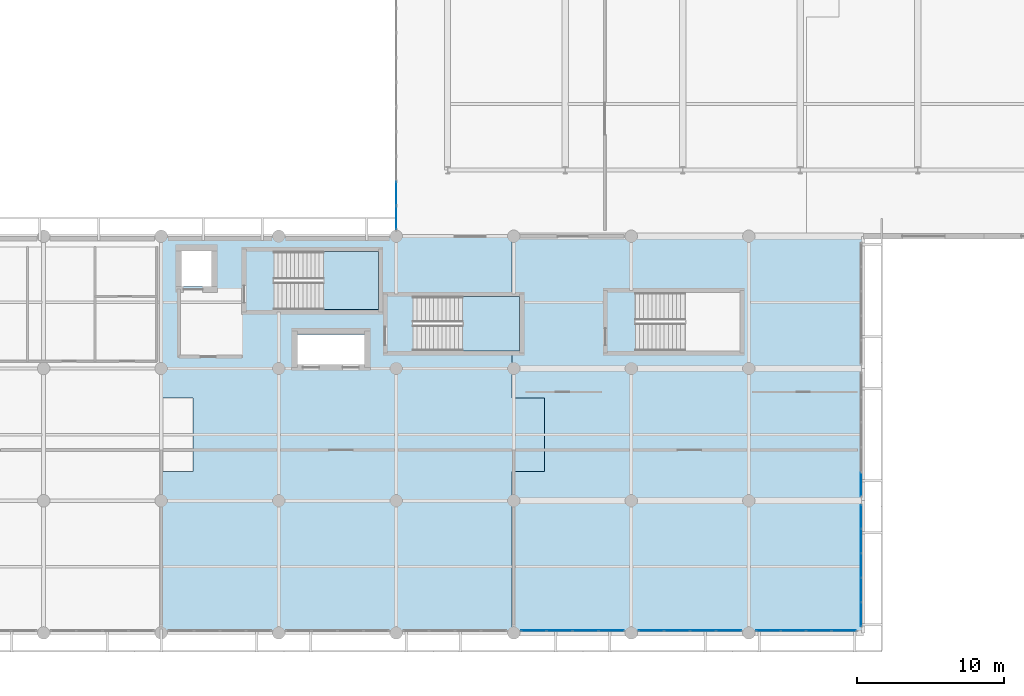
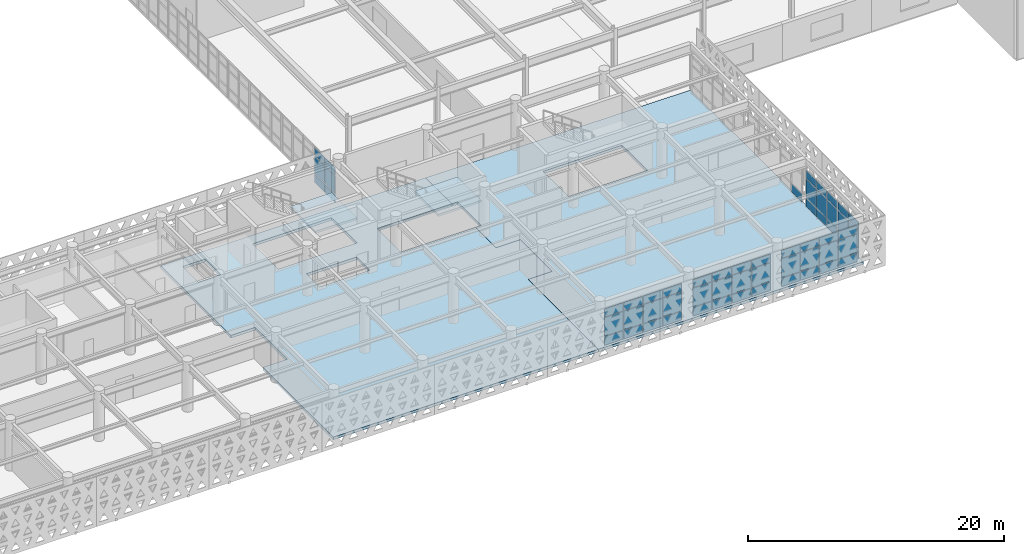
# One storey, part 31 of 54: 58 plates, 4 slabs, 8 elements without a shape of their own.
"""IFC4 building model written with IfcOpenShell, lengths in metres."""

from ifc_helpers import new_model, si_unit, direction, frame, origin, origin_2d, place, context, subcontext, project, spatial, polyline, rectangle, outline, extrude, material, layer, layer_set, type_object, element, aggregate, save


model = new_model("IFC4")

# Units and contexts
model_context = context("Model", 3, precision=1e-05, world=origin(), true_north=direction((0.0, 1.0)))
body_context = subcontext(model_context, "Body", "Model", "MODEL_VIEW")
ifc_project = project(units=[si_unit("LENGTHUNIT", "METRE"), si_unit("AREAUNIT", "SQUARE_METRE"), si_unit("VOLUMEUNIT", "CUBIC_METRE"), si_unit("PLANEANGLEUNIT", "RADIAN"), si_unit("MASSUNIT", "GRAM", prefix="KILO")], contexts=[model_context])

# Site, building, storey
site_placement = place(None, origin())
site = spatial("IfcSite", under=ifc_project, at=site_placement, CompositionType="ELEMENT")
building_placement = place(site_placement, origin())
building = spatial("IfcBuilding", under=site, at=building_placement, Name="Tlacozan Convention Centre", CompositionType="ELEMENT")
storey_placement = place(building_placement, frame((0.0, 0.0, 11.39990234375)))
storey = spatial("IfcBuildingStorey", under=building, at=storey_placement, Name="L02", CompositionType="ELEMENT", Elevation=11.39990234375)

# Curtain wall, plates
ifc_material_1 = material(Name="Dark Bronze Anodised Aluminium", Category="aluminium")
ifc_layer_1 = layer(ifc_material_1, 0.159912109375)
ifc_layer_set_1 = layer_set([ifc_layer_1], Name="Dark Bronze Anodised Aluminium")
curtain_wall_type_1 = type_object("IfcCurtainWallType", Name="Unitised Congress L02 South CW03", PredefinedType="NOTDEFINED", material=ifc_layer_set_1)
curtain_wall_1_placement = place(storey_placement, origin())
curtain_wall_1 = element("IfcCurtainWall", 1, at=curtain_wall_1_placement, inside=storey, type_object=curtain_wall_type_1, Name="L02 CW-03 Run 90", PredefinedType="NOTDEFINED")
ifc_material_2 = material(Name="Solar Control Double Low-E Argon Glazing", Category="glass")
ifc_layer_2 = layer(ifc_material_2, 0.02001953125)
ifc_layer_set_2 = layer_set([ifc_layer_2], Name="Solar Control Double Low-E Argon Glazing")
plate_type_1 = type_object("IfcPlateType", Name="Double Low-E Glazed CW Panel 20", PredefinedType="CURTAIN_PANEL", material=ifc_layer_set_2)
plate_1_placement = place(storey_placement, frame((97.353759765625, 0.159912109375, 0.06494140625), z_axis=(0.0, 0.0, 1.0), x_axis=(1.0, 0.0, 0.0)))
plate_1 = element("IfcPlate", 2, at=plate_1_placement, type_object=plate_type_1, Name="CW-03 panel 1.1", PredefinedType="CURTAIN_PANEL", context=body_context, shape_type="SweptSolid", body=[
    extrude(rectangle(XDim=1.677490234375, YDim=0.02001953125, at=origin_2d()), origin(), (0.0, 0.0, 1.0), 0.802490234375),
])
plate_2_placement = place(storey_placement, frame((97.353759765625, 0.159912109375, 0.9326171875), z_axis=(0.0, 0.0, 1.0), x_axis=(1.0, 0.0, 0.0)))
plate_2 = element("IfcPlate", 3, at=plate_2_placement, type_object=plate_type_1, Name="CW-03 panel 1.2", PredefinedType="CURTAIN_PANEL", context=body_context, shape_type="SweptSolid", body=[
    extrude(rectangle(XDim=1.677490234375, YDim=0.02001953125, at=origin_2d()), origin(), (0.0, 0.0, 1.0), 1.77490234375),
])
plate_3_placement = place(storey_placement, frame((97.353759765625, 0.159912109375, 2.772705078125), z_axis=(0.0, 0.0, 1.0), x_axis=(1.0, 0.0, 0.0)))
plate_3 = element("IfcPlate", 4, at=plate_3_placement, type_object=plate_type_1, Name="CW-03 panel 1.3", PredefinedType="CURTAIN_PANEL", context=body_context, shape_type="SweptSolid", body=[
    extrude(rectangle(XDim=1.677490234375, YDim=0.02001953125, at=origin_2d()), origin(), (0.0, 0.0, 1.0), 0.75244140625),
])
plate_4_placement = place(storey_placement, frame((99.112548828125, 0.159912109375, 0.06494140625), z_axis=(0.0, 0.0, 1.0), x_axis=(1.0, 0.0, 0.0)))
plate_4 = element("IfcPlate", 5, at=plate_4_placement, type_object=plate_type_1, Name="CW-03 panel 2.1", PredefinedType="CURTAIN_PANEL", context=body_context, shape_type="SweptSolid", body=[
    extrude(rectangle(XDim=1.7099609375, YDim=0.02001953125, at=origin_2d()), origin(), (0.0, 0.0, 1.0), 0.802490234375),
])
plate_5_placement = place(storey_placement, frame((99.112548828125, 0.159912109375, 0.9326171875), z_axis=(0.0, 0.0, 1.0), x_axis=(1.0, 0.0, 0.0)))
plate_5 = element("IfcPlate", 6, at=plate_5_placement, type_object=plate_type_1, Name="CW-03 panel 2.2", PredefinedType="CURTAIN_PANEL", context=body_context, shape_type="SweptSolid", body=[
    extrude(rectangle(XDim=1.7099609375, YDim=0.02001953125, at=origin_2d()), origin(), (0.0, 0.0, 1.0), 1.77490234375),
])
plate_6_placement = place(storey_placement, frame((99.112548828125, 0.159912109375, 2.772705078125), z_axis=(0.0, 0.0, 1.0), x_axis=(1.0, 0.0, 0.0)))
plate_6 = element("IfcPlate", 7, at=plate_6_placement, type_object=plate_type_1, Name="CW-03 panel 2.3", PredefinedType="CURTAIN_PANEL", context=body_context, shape_type="SweptSolid", body=[
    extrude(rectangle(XDim=1.7099609375, YDim=0.02001953125, at=origin_2d()), origin(), (0.0, 0.0, 1.0), 0.75244140625),
])
plate_7_placement = place(storey_placement, frame((100.887451171875, 0.159912109375, 0.06494140625), z_axis=(0.0, 0.0, 1.0), x_axis=(1.0, 0.0, 0.0)))
plate_7 = element("IfcPlate", 8, at=plate_7_placement, type_object=plate_type_1, Name="CW-03 panel 3.1", PredefinedType="CURTAIN_PANEL", context=body_context, shape_type="SweptSolid", body=[
    extrude(rectangle(XDim=1.7099609375, YDim=0.02001953125, at=origin_2d()), origin(), (0.0, 0.0, 1.0), 0.802490234375),
])
plate_8_placement = place(storey_placement, frame((100.887451171875, 0.159912109375, 0.9326171875), z_axis=(0.0, 0.0, 1.0), x_axis=(1.0, 0.0, 0.0)))
plate_8 = element("IfcPlate", 9, at=plate_8_placement, type_object=plate_type_1, Name="CW-03 panel 3.2", PredefinedType="CURTAIN_PANEL", context=body_context, shape_type="SweptSolid", body=[
    extrude(rectangle(XDim=1.7099609375, YDim=0.02001953125, at=origin_2d()), origin(), (0.0, 0.0, 1.0), 1.77490234375),
])
plate_9_placement = place(storey_placement, frame((100.887451171875, 0.159912109375, 2.772705078125), z_axis=(0.0, 0.0, 1.0), x_axis=(1.0, 0.0, 0.0)))
plate_9 = element("IfcPlate", 10, at=plate_9_placement, type_object=plate_type_1, Name="CW-03 panel 3.3", PredefinedType="CURTAIN_PANEL", context=body_context, shape_type="SweptSolid", body=[
    extrude(rectangle(XDim=1.7099609375, YDim=0.02001953125, at=origin_2d()), origin(), (0.0, 0.0, 1.0), 0.75244140625),
])
plate_10_placement = place(storey_placement, frame((102.646240234375, 0.159912109375, 0.06494140625), z_axis=(0.0, 0.0, 1.0), x_axis=(1.0, 0.0, 0.0)))
plate_10 = element("IfcPlate", 11, at=plate_10_placement, type_object=plate_type_1, Name="CW-03 panel 4.1", PredefinedType="CURTAIN_PANEL", context=body_context, shape_type="SweptSolid", body=[
    extrude(rectangle(XDim=1.677490234375, YDim=0.02001953125, at=origin_2d()), origin(), (0.0, 0.0, 1.0), 0.802490234375),
])
plate_11_placement = place(storey_placement, frame((102.646240234375, 0.159912109375, 0.9326171875), z_axis=(0.0, 0.0, 1.0), x_axis=(1.0, 0.0, 0.0)))
plate_11 = element("IfcPlate", 12, at=plate_11_placement, type_object=plate_type_1, Name="CW-03 panel 4.2", PredefinedType="CURTAIN_PANEL", context=body_context, shape_type="SweptSolid", body=[
    extrude(rectangle(XDim=1.677490234375, YDim=0.02001953125, at=origin_2d()), origin(), (0.0, 0.0, 1.0), 1.77490234375),
])
plate_12_placement = place(storey_placement, frame((102.646240234375, 0.159912109375, 2.772705078125), z_axis=(0.0, 0.0, 1.0), x_axis=(1.0, 0.0, 0.0)))
plate_12 = element("IfcPlate", 13, at=plate_12_placement, type_object=plate_type_1, Name="CW-03 panel 4.3", PredefinedType="CURTAIN_PANEL", context=body_context, shape_type="SweptSolid", body=[
    extrude(rectangle(XDim=1.677490234375, YDim=0.02001953125, at=origin_2d()), origin(), (0.0, 0.0, 1.0), 0.75244140625),
])
aggregate(curtain_wall_1, [plate_1, plate_2, plate_3, plate_4, plate_5, plate_6, plate_7, plate_8, plate_9, plate_10, plate_11, plate_12])

curtain_wall_2_placement = place(storey_placement, origin())
curtain_wall_2 = element("IfcCurtainWall", 14, at=curtain_wall_2_placement, inside=storey, type_object=curtain_wall_type_1, Name="L02 CW-03 Run 92", PredefinedType="NOTDEFINED")
plate_13_placement = place(storey_placement, frame((113.328857421875, 0.159912109375, 0.06494140625), z_axis=(0.0, 0.0, 1.0), x_axis=(1.0, 0.0, 0.0)))
plate_13 = element("IfcPlate", 15, at=plate_13_placement, type_object=plate_type_1, Name="CW-03 panel 1.1", PredefinedType="CURTAIN_PANEL", context=body_context, shape_type="SweptSolid", body=[
    extrude(rectangle(XDim=1.62744140625, YDim=0.02001953125, at=origin_2d()), origin(), (0.0, 0.0, 1.0), 0.802490234375),
])
plate_14_placement = place(storey_placement, frame((113.328857421875, 0.159912109375, 0.9326171875), z_axis=(0.0, 0.0, 1.0), x_axis=(1.0, 0.0, 0.0)))
plate_14 = element("IfcPlate", 16, at=plate_14_placement, type_object=plate_type_1, Name="CW-03 panel 1.2", PredefinedType="CURTAIN_PANEL", context=body_context, shape_type="SweptSolid", body=[
    extrude(rectangle(XDim=1.62744140625, YDim=0.02001953125, at=origin_2d()), origin(), (0.0, 0.0, 1.0), 1.77490234375),
])
plate_15_placement = place(storey_placement, frame((113.328857421875, 0.159912109375, 2.772705078125), z_axis=(0.0, 0.0, 1.0), x_axis=(1.0, 0.0, 0.0)))
plate_15 = element("IfcPlate", 17, at=plate_15_placement, type_object=plate_type_1, Name="CW-03 panel 1.3", PredefinedType="CURTAIN_PANEL", context=body_context, shape_type="SweptSolid", body=[
    extrude(rectangle(XDim=1.62744140625, YDim=0.02001953125, at=origin_2d()), origin(), (0.0, 0.0, 1.0), 0.75244140625),
])
plate_16_placement = place(storey_placement, frame((115.03759765625, 0.159912109375, 0.06494140625), z_axis=(0.0, 0.0, 1.0), x_axis=(1.0, 0.0, 0.0)))
plate_16 = element("IfcPlate", 18, at=plate_16_placement, type_object=plate_type_1, Name="CW-03 panel 2.1", PredefinedType="CURTAIN_PANEL", context=body_context, shape_type="SweptSolid", body=[
    extrude(rectangle(XDim=1.659912109375, YDim=0.02001953125, at=origin_2d()), origin(), (0.0, 0.0, 1.0), 0.802490234375),
])
plate_17_placement = place(storey_placement, frame((115.03759765625, 0.159912109375, 0.9326171875), z_axis=(0.0, 0.0, 1.0), x_axis=(1.0, 0.0, 0.0)))
plate_17 = element("IfcPlate", 19, at=plate_17_placement, type_object=plate_type_1, Name="CW-03 panel 2.2", PredefinedType="CURTAIN_PANEL", context=body_context, shape_type="SweptSolid", body=[
    extrude(rectangle(XDim=1.659912109375, YDim=0.02001953125, at=origin_2d()), origin(), (0.0, 0.0, 1.0), 1.77490234375),
])
plate_18_placement = place(storey_placement, frame((115.03759765625, 0.159912109375, 2.772705078125), z_axis=(0.0, 0.0, 1.0), x_axis=(1.0, 0.0, 0.0)))
plate_18 = element("IfcPlate", 20, at=plate_18_placement, type_object=plate_type_1, Name="CW-03 panel 2.3", PredefinedType="CURTAIN_PANEL", context=body_context, shape_type="SweptSolid", body=[
    extrude(rectangle(XDim=1.659912109375, YDim=0.02001953125, at=origin_2d()), origin(), (0.0, 0.0, 1.0), 0.75244140625),
])
plate_19_placement = place(storey_placement, frame((116.762451171875, 0.159912109375, 0.06494140625), z_axis=(0.0, 0.0, 1.0), x_axis=(1.0, 0.0, 0.0)))
plate_19 = element("IfcPlate", 21, at=plate_19_placement, type_object=plate_type_1, Name="CW-03 panel 3.1", PredefinedType="CURTAIN_PANEL", context=body_context, shape_type="SweptSolid", body=[
    extrude(rectangle(XDim=1.659912109375, YDim=0.02001953125, at=origin_2d()), origin(), (0.0, 0.0, 1.0), 0.802490234375),
])
plate_20_placement = place(storey_placement, frame((116.762451171875, 0.159912109375, 0.9326171875), z_axis=(0.0, 0.0, 1.0), x_axis=(1.0, 0.0, 0.0)))
plate_20 = element("IfcPlate", 22, at=plate_20_placement, type_object=plate_type_1, Name="CW-03 panel 3.2", PredefinedType="CURTAIN_PANEL", context=body_context, shape_type="SweptSolid", body=[
    extrude(rectangle(XDim=1.659912109375, YDim=0.02001953125, at=origin_2d()), origin(), (0.0, 0.0, 1.0), 1.77490234375),
])
plate_21_placement = place(storey_placement, frame((116.762451171875, 0.159912109375, 2.772705078125), z_axis=(0.0, 0.0, 1.0), x_axis=(1.0, 0.0, 0.0)))
plate_21 = element("IfcPlate", 23, at=plate_21_placement, type_object=plate_type_1, Name="CW-03 panel 3.3", PredefinedType="CURTAIN_PANEL", context=body_context, shape_type="SweptSolid", body=[
    extrude(rectangle(XDim=1.659912109375, YDim=0.02001953125, at=origin_2d()), origin(), (0.0, 0.0, 1.0), 0.75244140625),
])
plate_22_placement = place(storey_placement, frame((118.47119140625, 0.159912109375, 0.06494140625), z_axis=(0.0, 0.0, 1.0), x_axis=(1.0, 0.0, 0.0)))
plate_22 = element("IfcPlate", 24, at=plate_22_placement, type_object=plate_type_1, Name="CW-03 panel 4.1", PredefinedType="CURTAIN_PANEL", context=body_context, shape_type="SweptSolid", body=[
    extrude(rectangle(XDim=1.62744140625, YDim=0.02001953125, at=origin_2d()), origin(), (0.0, 0.0, 1.0), 0.802490234375),
])
plate_23_placement = place(storey_placement, frame((118.47119140625, 0.159912109375, 0.9326171875), z_axis=(0.0, 0.0, 1.0), x_axis=(1.0, 0.0, 0.0)))
plate_23 = element("IfcPlate", 25, at=plate_23_placement, type_object=plate_type_1, Name="CW-03 panel 4.2", PredefinedType="CURTAIN_PANEL", context=body_context, shape_type="SweptSolid", body=[
    extrude(rectangle(XDim=1.62744140625, YDim=0.02001953125, at=origin_2d()), origin(), (0.0, 0.0, 1.0), 1.77490234375),
])
plate_24_placement = place(storey_placement, frame((118.47119140625, 0.159912109375, 2.772705078125), z_axis=(0.0, 0.0, 1.0), x_axis=(1.0, 0.0, 0.0)))
plate_24 = element("IfcPlate", 26, at=plate_24_placement, type_object=plate_type_1, Name="CW-03 panel 4.3", PredefinedType="CURTAIN_PANEL", context=body_context, shape_type="SweptSolid", body=[
    extrude(rectangle(XDim=1.62744140625, YDim=0.02001953125, at=origin_2d()), origin(), (0.0, 0.0, 1.0), 0.75244140625),
])
aggregate(curtain_wall_2, [plate_13, plate_14, plate_15, plate_16, plate_17, plate_18, plate_19, plate_20, plate_21, plate_22, plate_23, plate_24])

ifc_layer_3 = layer(ifc_material_1, 0.159912109375)
ifc_layer_set_3 = layer_set([ifc_layer_3], Name="Dark Bronze Anodised Aluminium")
curtain_wall_type_2 = type_object("IfcCurtainWallType", Name="Unitised Congress Gable End CW06", PredefinedType="NOTDEFINED", material=ifc_layer_set_3)
curtain_wall_3_placement = place(storey_placement, origin())
curtain_wall_3 = element("IfcCurtainWall", 27, at=curtain_wall_3_placement, inside=storey, type_object=curtain_wall_type_2, Name="L02 CW-06 Run 97", PredefinedType="NOTDEFINED")
plate_25_placement = place(storey_placement, frame((119.639892578125, 1.259033203125, 0.06005859375), z_axis=(0.0, 0.0, 1.0), x_axis=(0.0, 1.0, 0.0)))
plate_25 = element("IfcPlate", 28, at=plate_25_placement, type_object=plate_type_1, Name="CW-06 panel 1.1", PredefinedType="CURTAIN_PANEL", context=body_context, shape_type="SweptSolid", body=[
    extrude(rectangle(XDim=1.577880859375, YDim=0.02001953125, at=origin_2d()), origin(), (0.0, 0.0, 1.0), 0.81005859375),
])
plate_26_placement = place(storey_placement, frame((119.639892578125, 1.259033203125, 0.93017578125), z_axis=(0.0, 0.0, 1.0), x_axis=(0.0, 1.0, 0.0)))
plate_26 = element("IfcPlate", 29, at=plate_26_placement, type_object=plate_type_1, Name="CW-06 panel 1.2", PredefinedType="CURTAIN_PANEL", context=body_context, shape_type="SweptSolid", body=[
    extrude(rectangle(XDim=1.577880859375, YDim=0.02001953125, at=origin_2d()), origin(), (0.0, 0.0, 1.0), 1.780029296875),
])
plate_27_placement = place(storey_placement, frame((119.639892578125, 1.259033203125, 2.77001953125), z_axis=(0.0, 0.0, 1.0), x_axis=(0.0, 1.0, 0.0)))
plate_27 = element("IfcPlate", 30, at=plate_27_placement, type_object=plate_type_1, Name="CW-06 panel 1.3", PredefinedType="CURTAIN_PANEL", context=body_context, shape_type="SweptSolid", body=[
    extrude(rectangle(XDim=1.577880859375, YDim=0.02001953125, at=origin_2d()), origin(), (0.0, 0.0, 1.0), 0.760009765625),
])
plate_28_placement = place(storey_placement, frame((119.639892578125, 2.912109375, 0.06005859375), z_axis=(0.0, 0.0, 1.0), x_axis=(0.0, 1.0, 0.0)))
plate_28 = element("IfcPlate", 31, at=plate_28_placement, type_object=plate_type_1, Name="CW-06 panel 2.1", PredefinedType="CURTAIN_PANEL", context=body_context, shape_type="SweptSolid", body=[
    extrude(rectangle(XDim=1.60791015625, YDim=0.02001953125, at=origin_2d()), origin(), (0.0, 0.0, 1.0), 0.81005859375),
])
plate_29_placement = place(storey_placement, frame((119.639892578125, 2.912109375, 0.93017578125), z_axis=(0.0, 0.0, 1.0), x_axis=(0.0, 1.0, 0.0)))
plate_29 = element("IfcPlate", 32, at=plate_29_placement, type_object=plate_type_1, Name="CW-06 panel 2.2", PredefinedType="CURTAIN_PANEL", context=body_context, shape_type="SweptSolid", body=[
    extrude(rectangle(XDim=1.60791015625, YDim=0.02001953125, at=origin_2d()), origin(), (0.0, 0.0, 1.0), 1.780029296875),
])
plate_30_placement = place(storey_placement, frame((119.639892578125, 2.912109375, 2.77001953125), z_axis=(0.0, 0.0, 1.0), x_axis=(0.0, 1.0, 0.0)))
plate_30 = element("IfcPlate", 33, at=plate_30_placement, type_object=plate_type_1, Name="CW-06 panel 2.3", PredefinedType="CURTAIN_PANEL", context=body_context, shape_type="SweptSolid", body=[
    extrude(rectangle(XDim=1.60791015625, YDim=0.02001953125, at=origin_2d()), origin(), (0.0, 0.0, 1.0), 0.760009765625),
])
plate_31_placement = place(storey_placement, frame((119.639892578125, 4.580078125, 0.06005859375), z_axis=(0.0, 0.0, 1.0), x_axis=(0.0, 1.0, 0.0)))
plate_31 = element("IfcPlate", 34, at=plate_31_placement, type_object=plate_type_1, Name="CW-06 panel 3.1", PredefinedType="CURTAIN_PANEL", context=body_context, shape_type="SweptSolid", body=[
    extrude(rectangle(XDim=1.60791015625, YDim=0.02001953125, at=origin_2d()), origin(), (0.0, 0.0, 1.0), 0.81005859375),
])
plate_32_placement = place(storey_placement, frame((119.639892578125, 4.580078125, 0.93017578125), z_axis=(0.0, 0.0, 1.0), x_axis=(0.0, 1.0, 0.0)))
plate_32 = element("IfcPlate", 35, at=plate_32_placement, type_object=plate_type_1, Name="CW-06 panel 3.2", PredefinedType="CURTAIN_PANEL", context=body_context, shape_type="SweptSolid", body=[
    extrude(rectangle(XDim=1.60791015625, YDim=0.02001953125, at=origin_2d()), origin(), (0.0, 0.0, 1.0), 1.780029296875),
])
plate_33_placement = place(storey_placement, frame((119.639892578125, 4.580078125, 2.77001953125), z_axis=(0.0, 0.0, 1.0), x_axis=(0.0, 1.0, 0.0)))
plate_33 = element("IfcPlate", 36, at=plate_33_placement, type_object=plate_type_1, Name="CW-06 panel 3.3", PredefinedType="CURTAIN_PANEL", context=body_context, shape_type="SweptSolid", body=[
    extrude(rectangle(XDim=1.60791015625, YDim=0.02001953125, at=origin_2d()), origin(), (0.0, 0.0, 1.0), 0.760009765625),
])
plate_34_placement = place(storey_placement, frame((119.639892578125, 6.248046875, 0.06005859375), z_axis=(0.0, 0.0, 1.0), x_axis=(0.0, 1.0, 0.0)))
plate_34 = element("IfcPlate", 37, at=plate_34_placement, type_object=plate_type_1, Name="CW-06 panel 4.1", PredefinedType="CURTAIN_PANEL", context=body_context, shape_type="SweptSolid", body=[
    extrude(rectangle(XDim=1.60791015625, YDim=0.02001953125, at=origin_2d()), origin(), (0.0, 0.0, 1.0), 0.81005859375),
])
plate_35_placement = place(storey_placement, frame((119.639892578125, 6.248046875, 0.93017578125), z_axis=(0.0, 0.0, 1.0), x_axis=(0.0, 1.0, 0.0)))
plate_35 = element("IfcPlate", 38, at=plate_35_placement, type_object=plate_type_1, Name="CW-06 panel 4.2", PredefinedType="CURTAIN_PANEL", context=body_context, shape_type="SweptSolid", body=[
    extrude(rectangle(XDim=1.60791015625, YDim=0.02001953125, at=origin_2d()), origin(), (0.0, 0.0, 1.0), 1.780029296875),
])
plate_36_placement = place(storey_placement, frame((119.639892578125, 6.248046875, 2.77001953125), z_axis=(0.0, 0.0, 1.0), x_axis=(0.0, 1.0, 0.0)))
plate_36 = element("IfcPlate", 39, at=plate_36_placement, type_object=plate_type_1, Name="CW-06 panel 4.3", PredefinedType="CURTAIN_PANEL", context=body_context, shape_type="SweptSolid", body=[
    extrude(rectangle(XDim=1.60791015625, YDim=0.02001953125, at=origin_2d()), origin(), (0.0, 0.0, 1.0), 0.760009765625),
])
plate_37_placement = place(storey_placement, frame((119.639892578125, 7.90087890625, 0.06005859375), z_axis=(0.0, 0.0, 1.0), x_axis=(0.0, 1.0, 0.0)))
plate_37 = element("IfcPlate", 40, at=plate_37_placement, type_object=plate_type_1, Name="CW-06 panel 5.1", PredefinedType="CURTAIN_PANEL", context=body_context, shape_type="SweptSolid", body=[
    extrude(rectangle(XDim=1.577880859375, YDim=0.02001953125, at=origin_2d()), origin(), (0.0, 0.0, 1.0), 0.81005859375),
])
plate_38_placement = place(storey_placement, frame((119.639892578125, 7.90087890625, 0.93017578125), z_axis=(0.0, 0.0, 1.0), x_axis=(0.0, 1.0, 0.0)))
plate_38 = element("IfcPlate", 41, at=plate_38_placement, type_object=plate_type_1, Name="CW-06 panel 5.2", PredefinedType="CURTAIN_PANEL", context=body_context, shape_type="SweptSolid", body=[
    extrude(rectangle(XDim=1.577880859375, YDim=0.02001953125, at=origin_2d()), origin(), (0.0, 0.0, 1.0), 1.780029296875),
])
plate_39_placement = place(storey_placement, frame((119.639892578125, 7.90087890625, 2.77001953125), z_axis=(0.0, 0.0, 1.0), x_axis=(0.0, 1.0, 0.0)))
plate_39 = element("IfcPlate", 42, at=plate_39_placement, type_object=plate_type_1, Name="CW-06 panel 5.3", PredefinedType="CURTAIN_PANEL", context=body_context, shape_type="SweptSolid", body=[
    extrude(rectangle(XDim=1.577880859375, YDim=0.02001953125, at=origin_2d()), origin(), (0.0, 0.0, 1.0), 0.760009765625),
])
aggregate(curtain_wall_3, [plate_25, plate_26, plate_27, plate_28, plate_29, plate_30, plate_31, plate_32, plate_33, plate_34, plate_35, plate_36, plate_37, plate_38, plate_39])

# Curtain wall, plate
curtain_wall_4_placement = place(storey_placement, origin())
curtain_wall_4 = element("IfcCurtainWall", 43, at=curtain_wall_4_placement, inside=storey, type_object=curtain_wall_type_2, Name="L02 CW-06 Run 99", PredefinedType="NOTDEFINED")
plate_40_placement = place(storey_placement, frame((119.639892578125, 10.114990234375, 0.06005859375), z_axis=(0.0, 0.0, 1.0), x_axis=(0.0, 1.0, 0.0)))
plate_40 = element("IfcPlate", 44, at=plate_40_placement, type_object=plate_type_1, Name="CW-06 panel 1.1", PredefinedType="CURTAIN_PANEL", context=body_context, shape_type="SweptSolid", body=[
    extrude(rectangle(XDim=1.610107421875, YDim=0.02001953125, at=origin_2d()), origin(), (0.0, 0.0, 1.0), 0.81005859375),
])
aggregate(curtain_wall_4, [plate_40])

# Curtain wall, plates
ifc_layer_4 = layer(ifc_material_1, 0.199951171875)
ifc_layer_set_4 = layer_set([ifc_layer_4], Name="Dark Bronze Anodised Aluminium")
curtain_wall_type_3 = type_object("IfcCurtainWallType", Name="Unitised Dining Cloister L02 CW09", PredefinedType="NOTDEFINED", material=ifc_layer_set_4)
curtain_wall_5_placement = place(storey_placement, origin())
curtain_wall_5 = element("IfcCurtainWall", 45, at=curtain_wall_5_placement, inside=storey, type_object=curtain_wall_type_3, Name="L02 CW-09 Run 156", PredefinedType="NOTDEFINED")
plate_41_placement = place(storey_placement, frame((88.0, 28.2587890625, 0.074951171875), z_axis=(0.0, 0.0, 1.0), x_axis=(0.0, 1.0, 0.0)))
plate_41 = element("IfcPlate", 46, at=plate_41_placement, type_object=plate_type_1, Name="CW-09 panel 1.1", PredefinedType="CURTAIN_PANEL", context=body_context, shape_type="SweptSolid", body=[
    extrude(rectangle(XDim=1.5673828125, YDim=0.02001953125, at=origin_2d()), origin(), (0.0, 0.0, 1.0), 0.78759765625),
])
plate_42_placement = place(storey_placement, frame((88.0, 28.2587890625, 0.9375), z_axis=(0.0, 0.0, 1.0), x_axis=(0.0, 1.0, 0.0)))
plate_42 = element("IfcPlate", 47, at=plate_42_placement, type_object=plate_type_1, Name="CW-09 panel 1.2", PredefinedType="CURTAIN_PANEL", context=body_context, shape_type="SweptSolid", body=[
    extrude(rectangle(XDim=1.5673828125, YDim=0.02001953125, at=origin_2d()), origin(), (0.0, 0.0, 1.0), 1.675048828125),
])
plate_43_placement = place(storey_placement, frame((88.0, 28.2587890625, 2.6875), z_axis=(0.0, 0.0, 1.0), x_axis=(0.0, 1.0, 0.0)))
plate_43 = element("IfcPlate", 48, at=plate_43_placement, type_object=plate_type_1, Name="CW-09 panel 1.3", PredefinedType="CURTAIN_PANEL", context=body_context, shape_type="SweptSolid", body=[
    extrude(rectangle(XDim=1.5673828125, YDim=0.02001953125, at=origin_2d()), origin(), (0.0, 0.0, 1.0), 0.737548828125),
])
plate_44_placement = place(storey_placement, frame((88.0, 29.919921875, 0.074951171875), z_axis=(0.0, 0.0, 1.0), x_axis=(0.0, 1.0, 0.0)))
plate_44 = element("IfcPlate", 49, at=plate_44_placement, type_object=plate_type_1, Name="CW-09 panel 2.1", PredefinedType="CURTAIN_PANEL", context=body_context, shape_type="SweptSolid", body=[
    extrude(rectangle(XDim=1.60498046875, YDim=0.02001953125, at=origin_2d()), origin(), (0.0, 0.0, 1.0), 0.78759765625),
])
plate_45_placement = place(storey_placement, frame((88.0, 29.919921875, 0.9375), z_axis=(0.0, 0.0, 1.0), x_axis=(0.0, 1.0, 0.0)))
plate_45 = element("IfcPlate", 50, at=plate_45_placement, type_object=plate_type_1, Name="CW-09 panel 2.2", PredefinedType="CURTAIN_PANEL", context=body_context, shape_type="SweptSolid", body=[
    extrude(rectangle(XDim=1.60498046875, YDim=0.02001953125, at=origin_2d()), origin(), (0.0, 0.0, 1.0), 1.675048828125),
])
plate_46_placement = place(storey_placement, frame((88.0, 29.919921875, 2.6875), z_axis=(0.0, 0.0, 1.0), x_axis=(0.0, 1.0, 0.0)))
plate_46 = element("IfcPlate", 51, at=plate_46_placement, type_object=plate_type_1, Name="CW-09 panel 2.3", PredefinedType="CURTAIN_PANEL", context=body_context, shape_type="SweptSolid", body=[
    extrude(rectangle(XDim=1.60498046875, YDim=0.02001953125, at=origin_2d()), origin(), (0.0, 0.0, 1.0), 0.737548828125),
])
aggregate(curtain_wall_5, [plate_41, plate_42, plate_43, plate_44, plate_45, plate_46])

curtain_wall_6_placement = place(storey_placement, origin())
curtain_wall_6 = element("IfcCurtainWall", 52, at=curtain_wall_6_placement, inside=storey, type_object=curtain_wall_type_1, Name="L02 CW-03 Run 91", PredefinedType="NOTDEFINED")
ifc_layer_5 = layer(ifc_material_2, 0.0400390625)
ifc_layer_set_5 = layer_set([ifc_layer_5], Name="Solar Control Double Low-E Argon Glazing")
plate_type_2 = type_object("IfcPlateType", Name="Insulated Spandrel CW Panel 40", PredefinedType="CURTAIN_PANEL", material=ifc_layer_set_5)
plate_47_placement = place(storey_placement, frame((105.353759765625, 0.159912109375, 0.06494140625), z_axis=(0.0, 0.0, 1.0), x_axis=(1.0, 0.0, 0.0)))
plate_47 = element("IfcPlate", 53, at=plate_47_placement, type_object=plate_type_2, Name="CW-03 panel 1.1", PredefinedType="CURTAIN_PANEL", context=body_context, shape_type="SweptSolid", body=[
    extrude(rectangle(XDim=1.677490234375, YDim=0.0400390625, at=origin_2d()), origin(), (0.0, 0.0, 1.0), 0.802490234375),
])
plate_48_placement = place(storey_placement, frame((105.353759765625, 0.159912109375, 0.9326171875), z_axis=(0.0, 0.0, 1.0), x_axis=(1.0, 0.0, 0.0)))
plate_48 = element("IfcPlate", 54, at=plate_48_placement, type_object=plate_type_2, Name="CW-03 panel 1.2", PredefinedType="CURTAIN_PANEL", context=body_context, shape_type="SweptSolid", body=[
    extrude(rectangle(XDim=1.677490234375, YDim=0.0400390625, at=origin_2d()), origin(), (0.0, 0.0, 1.0), 1.77490234375),
])
plate_49_placement = place(storey_placement, frame((105.353759765625, 0.159912109375, 2.772705078125), z_axis=(0.0, 0.0, 1.0), x_axis=(1.0, 0.0, 0.0)))
plate_49 = element("IfcPlate", 55, at=plate_49_placement, type_object=plate_type_2, Name="CW-03 panel 1.3", PredefinedType="CURTAIN_PANEL", context=body_context, shape_type="SweptSolid", body=[
    extrude(rectangle(XDim=1.677490234375, YDim=0.0400390625, at=origin_2d()), origin(), (0.0, 0.0, 1.0), 0.75244140625),
])
plate_50_placement = place(storey_placement, frame((107.112548828125, 0.159912109375, 0.06494140625), z_axis=(0.0, 0.0, 1.0), x_axis=(1.0, 0.0, 0.0)))
plate_50 = element("IfcPlate", 56, at=plate_50_placement, type_object=plate_type_2, Name="CW-03 panel 2.1", PredefinedType="CURTAIN_PANEL", context=body_context, shape_type="SweptSolid", body=[
    extrude(rectangle(XDim=1.7099609375, YDim=0.0400390625, at=origin_2d()), origin(), (0.0, 0.0, 1.0), 0.802490234375),
])
plate_51_placement = place(storey_placement, frame((107.112548828125, 0.159912109375, 0.9326171875), z_axis=(0.0, 0.0, 1.0), x_axis=(1.0, 0.0, 0.0)))
plate_51 = element("IfcPlate", 57, at=plate_51_placement, type_object=plate_type_2, Name="CW-03 panel 2.2", PredefinedType="CURTAIN_PANEL", context=body_context, shape_type="SweptSolid", body=[
    extrude(rectangle(XDim=1.7099609375, YDim=0.0400390625, at=origin_2d()), origin(), (0.0, 0.0, 1.0), 1.77490234375),
])
plate_52_placement = place(storey_placement, frame((107.112548828125, 0.159912109375, 2.772705078125), z_axis=(0.0, 0.0, 1.0), x_axis=(1.0, 0.0, 0.0)))
plate_52 = element("IfcPlate", 58, at=plate_52_placement, type_object=plate_type_2, Name="CW-03 panel 2.3", PredefinedType="CURTAIN_PANEL", context=body_context, shape_type="SweptSolid", body=[
    extrude(rectangle(XDim=1.7099609375, YDim=0.0400390625, at=origin_2d()), origin(), (0.0, 0.0, 1.0), 0.75244140625),
])
plate_53_placement = place(storey_placement, frame((108.887451171875, 0.159912109375, 0.06494140625), z_axis=(0.0, 0.0, 1.0), x_axis=(1.0, 0.0, 0.0)))
plate_53 = element("IfcPlate", 59, at=plate_53_placement, type_object=plate_type_2, Name="CW-03 panel 3.1", PredefinedType="CURTAIN_PANEL", context=body_context, shape_type="SweptSolid", body=[
    extrude(rectangle(XDim=1.7099609375, YDim=0.0400390625, at=origin_2d()), origin(), (0.0, 0.0, 1.0), 0.802490234375),
])
plate_54_placement = place(storey_placement, frame((108.887451171875, 0.159912109375, 0.9326171875), z_axis=(0.0, 0.0, 1.0), x_axis=(1.0, 0.0, 0.0)))
plate_54 = element("IfcPlate", 60, at=plate_54_placement, type_object=plate_type_2, Name="CW-03 panel 3.2", PredefinedType="CURTAIN_PANEL", context=body_context, shape_type="SweptSolid", body=[
    extrude(rectangle(XDim=1.7099609375, YDim=0.0400390625, at=origin_2d()), origin(), (0.0, 0.0, 1.0), 1.77490234375),
])
plate_55_placement = place(storey_placement, frame((108.887451171875, 0.159912109375, 2.772705078125), z_axis=(0.0, 0.0, 1.0), x_axis=(1.0, 0.0, 0.0)))
plate_55 = element("IfcPlate", 61, at=plate_55_placement, type_object=plate_type_2, Name="CW-03 panel 3.3", PredefinedType="CURTAIN_PANEL", context=body_context, shape_type="SweptSolid", body=[
    extrude(rectangle(XDim=1.7099609375, YDim=0.0400390625, at=origin_2d()), origin(), (0.0, 0.0, 1.0), 0.75244140625),
])
plate_56_placement = place(storey_placement, frame((110.646240234375, 0.159912109375, 0.06494140625), z_axis=(0.0, 0.0, 1.0), x_axis=(1.0, 0.0, 0.0)))
plate_56 = element("IfcPlate", 62, at=plate_56_placement, type_object=plate_type_2, Name="CW-03 panel 4.1", PredefinedType="CURTAIN_PANEL", context=body_context, shape_type="SweptSolid", body=[
    extrude(rectangle(XDim=1.677490234375, YDim=0.0400390625, at=origin_2d()), origin(), (0.0, 0.0, 1.0), 0.802490234375),
])
plate_57_placement = place(storey_placement, frame((110.646240234375, 0.159912109375, 0.9326171875), z_axis=(0.0, 0.0, 1.0), x_axis=(1.0, 0.0, 0.0)))
plate_57 = element("IfcPlate", 63, at=plate_57_placement, type_object=plate_type_2, Name="CW-03 panel 4.2", PredefinedType="CURTAIN_PANEL", context=body_context, shape_type="SweptSolid", body=[
    extrude(rectangle(XDim=1.677490234375, YDim=0.0400390625, at=origin_2d()), origin(), (0.0, 0.0, 1.0), 1.77490234375),
])
plate_58_placement = place(storey_placement, frame((110.646240234375, 0.159912109375, 2.772705078125), z_axis=(0.0, 0.0, 1.0), x_axis=(1.0, 0.0, 0.0)))
plate_58 = element("IfcPlate", 64, at=plate_58_placement, type_object=plate_type_2, Name="CW-03 panel 4.3", PredefinedType="CURTAIN_PANEL", context=body_context, shape_type="SweptSolid", body=[
    extrude(rectangle(XDim=1.677490234375, YDim=0.0400390625, at=origin_2d()), origin(), (0.0, 0.0, 1.0), 0.75244140625),
])
aggregate(curtain_wall_6, [plate_47, plate_48, plate_49, plate_50, plate_51, plate_52, plate_53, plate_54, plate_55, plate_56, plate_57, plate_58])

# Stair, slab
ifc_material_3 = material(Name="Concrete C40/50", Category="concrete")
stair_type_1 = type_object("IfcStairType", Name="Protected Dogleg Stair W188 H48", PredefinedType="HALF_TURN_STAIR", material=ifc_material_3)
stair_1_placement = place(storey_placement, origin())
stair_1 = element("IfcStair", 65, at=stair_1_placement, inside=storey, type_object=stair_type_1, Name="L02 East Congress Core Stair ST-02", PredefinedType="HALF_TURN_STAIR")
ifc_layer_6 = layer(ifc_material_3, 0.199951171875)
ifc_layer_set_6 = layer_set([ifc_layer_6], Name="Concrete C40/50")
slab_type_1 = type_object("IfcSlabType", Name="Stair Half Landing Slab 200", PredefinedType="LANDING", material=ifc_layer_set_6)
slab_1_placement = place(storey_placement, frame((0.0, 0.0, 2.2001953125)))
slab_1 = element("IfcSlab", 66, at=slab_1_placement, type_object=slab_type_1, Name="ST-02 landing 1", PredefinedType="LANDING", context=body_context, shape_type="SweptSolid", body=[
    extrude(outline(polyline([(83.0400390625, 22.0), (86.800048828125, 22.0), (86.800048828125, 25.9599609375), (83.0400390625, 25.9599609375), (83.0400390625, 22.0)])), origin(), (0.0, 0.0, 1.0), 0.199951171875),
])
aggregate(stair_1, [slab_1])

stair_type_2 = type_object("IfcStairType", Name="Protected Dogleg Stair W175 H48", PredefinedType="HALF_TURN_STAIR", material=ifc_material_3)
stair_2_placement = place(storey_placement, origin())
stair_2 = element("IfcStair", 67, at=stair_2_placement, inside=storey, type_object=stair_type_2, Name="L02 East Belvedere Congress Stair", PredefinedType="HALF_TURN_STAIR")
slab_2_placement = place(storey_placement, frame((0.0, 0.0, 2.2001953125)))
slab_2 = element("IfcSlab", 68, at=slab_2_placement, type_object=slab_type_1, Name="ST-15 landing 1", PredefinedType="LANDING", context=body_context, shape_type="SweptSolid", body=[
    extrude(outline(polyline([(92.510009765625, 19.199951171875), (96.39990234375, 19.199951171875), (96.39990234375, 22.89990234375), (92.510009765625, 22.89990234375), (92.510009765625, 19.199951171875)])), origin(), (0.0, 0.0, 1.0), 0.199951171875),
])
aggregate(stair_2, [slab_2])

# Slabs
ifc_layer_7 = layer(ifc_material_3, 0.260009765625)
ifc_layer_set_7 = layer_set([ifc_layer_7], Name="Concrete C40/50")
slab_type_2 = type_object("IfcSlabType", Name="Upper Congress Floor Slab 260", PredefinedType="FLOOR", material=ifc_layer_set_7)
slab_3_placement = place(storey_placement, frame((0.0, 0.0, -0.260009765625)))
element("IfcSlab", 69, at=slab_3_placement, inside=storey, type_object=slab_type_2, Name="L02 Upper Congress Floor Slab 260 70", PredefinedType="FLOOR", context=body_context, shape_type="SweptSolid", body=[
    extrude(outline(polyline([(71.9599609375, 11.0), (74.159912109375, 11.0), (74.159912109375, 16.0), (71.9599609375, 16.0), (71.9599609375, 27.0), (95.8798828125, 27.0), (95.8798828125, 22.89990234375), (89.14990234375, 22.89990234375), (89.14990234375, 19.199951171875), (95.8798828125, 19.199951171875), (95.8798828125, 16.0), (98.080078125, 16.0), (98.080078125, 11.0), (95.8798828125, 11.0), (95.8798828125, 0.0), (71.9599609375, 0.0), (71.9599609375, 11.0)]), holes=[polyline([(86.800048828125, 22.0), (86.800048828125, 25.9599609375), (79.679931640625, 25.9599609375), (79.679931640625, 22.0), (86.800048828125, 22.0)]), polyline([(75.419921875, 23.580078125), (75.419921875, 26.02001953125), (73.3798828125, 26.02001953125), (73.3798828125, 23.580078125), (75.419921875, 23.580078125)]), polyline([(85.830078125, 20.330078125), (81.27001953125, 20.330078125), (81.27001953125, 18.27001953125), (85.830078125, 18.27001953125), (85.830078125, 20.330078125)])]), origin(), (0.0, 0.0, 1.0), 0.260009765625),
])
slab_4_placement = place(storey_placement, frame((0.0, 0.0, -0.260009765625)))
element("IfcSlab", 70, at=slab_4_placement, inside=storey, type_object=slab_type_2, Name="L02 Upper Congress Floor Slab 260 71", PredefinedType="FLOOR", context=body_context, shape_type="SweptSolid", body=[
    extrude(outline(polyline([(119.800048828125, 27.0), (119.800048828125, 0.0), (95.8798828125, 0.0), (95.8798828125, 11.0), (98.080078125, 11.0), (98.080078125, 16.0), (95.8798828125, 16.0), (95.8798828125, 19.199951171875), (96.39990234375, 19.199951171875), (96.39990234375, 22.89990234375), (95.8798828125, 22.89990234375), (95.8798828125, 27.0), (119.800048828125, 27.0)]), holes=[polyline([(104.280029296875, 19.199951171875), (111.39990234375, 19.199951171875), (111.39990234375, 23.159912109375), (104.280029296875, 23.159912109375), (104.280029296875, 19.199951171875)])]), origin(), (0.0, 0.0, 1.0), 0.260009765625),
])

save(model, "model.ifc")
